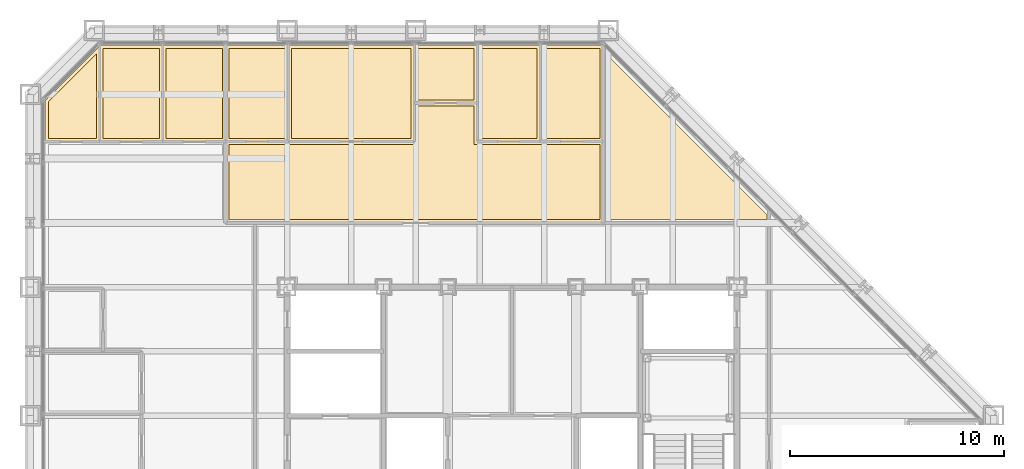
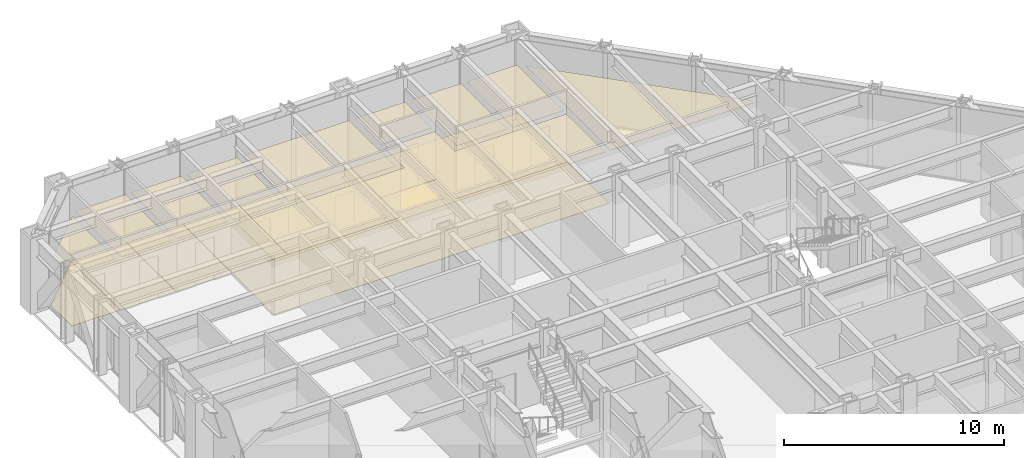
# One storey, part 16 of 16: 19 coverings.
"""IFC4 building model written with IfcOpenShell, lengths in metres."""

from ifc_helpers import new_model, si_unit, direction, frame, origin, place, context, subcontext, project, spatial, polyline, outline, extrude, material, layer, layer_set, type_object, element, save


model = new_model("IFC4")

# Units and contexts
model_context = context("Model", 3, precision=1e-05, world=origin(), true_north=direction((0.0, 1.0)))
body_context = subcontext(model_context, "Body", "Model", "MODEL_VIEW")
ifc_project = project(units=[si_unit("LENGTHUNIT", "METRE"), si_unit("AREAUNIT", "SQUARE_METRE"), si_unit("VOLUMEUNIT", "CUBIC_METRE"), si_unit("PLANEANGLEUNIT", "RADIAN"), si_unit("MASSUNIT", "GRAM", prefix="KILO")], contexts=[model_context])

# Site, building, storey
site_placement = place(None, origin())
site = spatial("IfcSite", under=ifc_project, at=site_placement, CompositionType="ELEMENT")
building_placement = place(site_placement, origin())
building = spatial("IfcBuilding", under=site, at=building_placement, Name="Chuquiago Exchange Tower", CompositionType="ELEMENT")
storey_placement = place(building_placement, frame((0.0, 0.0, 106.800048828125)))
storey = spatial("IfcBuildingStorey", under=building, at=storey_placement, Name="L22", CompositionType="ELEMENT", Elevation=106.800048828125)

# Coverings
ifc_material_1 = material(Name="Mineral fibre tile, 600 x 600, on pale metal grid", Category="mineral fibre")
ifc_layer_1 = layer(ifc_material_1, 0.02001953125)
ifc_layer_set_1 = layer_set([ifc_layer_1], Name="CL1 suspended tile ceiling 20")
covering_type_1 = type_object("IfcCoveringType", Name="CL1 suspended tile ceiling 20", PredefinedType="CEILING", material=ifc_layer_set_1)
covering_1_placement = place(storey_placement, frame((0.0, 0.0, 2.800048828125)))
element("IfcCovering", 1, at=covering_1_placement, inside=storey, type_object=covering_type_1, Name="Ceiling Meeting room", PredefinedType="CEILING", context=body_context, shape_type="SweptSolid", body=[
    extrude(outline(polyline([(3.098388671875, 43.896484375), (3.098388671875, 39.949951171875), (0.85009765625, 39.949951171875), (0.85009765625, 41.64794921875), (3.098388671875, 43.896484375)])), origin(), (0.0, 0.0, 1.0), 0.02001953125),
])
covering_2_placement = place(storey_placement, frame((0.0, 0.0, 2.800048828125)))
element("IfcCovering", 2, at=covering_2_placement, inside=storey, type_object=covering_type_1, Name="Ceiling Office", PredefinedType="CEILING", context=body_context, shape_type="SweptSolid", body=[
    extrude(outline(polyline([(6.036376953125, 44.14990234375), (6.036376953125, 39.949951171875), (3.3984375, 39.949951171875), (3.3984375, 44.14990234375), (6.036376953125, 44.14990234375)])), origin(), (0.0, 0.0, 1.0), 0.02001953125),
])
covering_3_placement = place(storey_placement, frame((0.0, 0.0, 2.800048828125)))
element("IfcCovering", 3, at=covering_3_placement, inside=storey, type_object=covering_type_1, Name="Ceiling Office", PredefinedType="CEILING", context=body_context, shape_type="SweptSolid", body=[
    extrude(outline(polyline([(8.974365234375, 39.949951171875), (6.33642578125, 39.949951171875), (6.33642578125, 44.14990234375), (8.974365234375, 44.14990234375), (8.974365234375, 39.949951171875)])), origin(), (0.0, 0.0, 1.0), 0.02001953125),
])
covering_4_placement = place(storey_placement, frame((0.0, 0.0, 2.800048828125)))
element("IfcCovering", 4, at=covering_4_placement, inside=storey, type_object=covering_type_1, Name="Ceiling Office", PredefinedType="CEILING", context=body_context, shape_type="SweptSolid", body=[
    extrude(outline(polyline([(11.912109375, 39.949951171875), (9.2744140625, 39.949951171875), (9.2744140625, 44.14990234375), (11.912109375, 44.14990234375), (11.912109375, 39.949951171875)])), origin(), (0.0, 0.0, 1.0), 0.02001953125),
])
covering_5_placement = place(storey_placement, frame((0.0, 0.0, 2.800048828125)))
element("IfcCovering", 5, at=covering_5_placement, inside=storey, type_object=covering_type_1, Name="Ceiling Meeting room", PredefinedType="CEILING", context=body_context, shape_type="SweptSolid", body=[
    extrude(outline(polyline([(17.787841796875, 39.949951171875), (12.212158203125, 39.949951171875), (12.212158203125, 44.14990234375), (17.787841796875, 44.14990234375), (17.787841796875, 39.949951171875)])), origin(), (0.0, 0.0, 1.0), 0.02001953125),
])
covering_6_placement = place(storey_placement, frame((0.0, 0.0, 2.800048828125)))
element("IfcCovering", 6, at=covering_6_placement, inside=storey, type_object=covering_type_1, Name="Ceiling Focus room", PredefinedType="CEILING", context=body_context, shape_type="SweptSolid", body=[
    extrude(outline(polyline([(20.7255859375, 41.75), (18.087890625, 41.75), (18.087890625, 44.14990234375), (20.7255859375, 44.14990234375), (20.7255859375, 41.75)])), origin(), (0.0, 0.0, 1.0), 0.02001953125),
])
covering_7_placement = place(storey_placement, frame((0.0, 0.0, 2.800048828125)))
element("IfcCovering", 7, at=covering_7_placement, inside=storey, type_object=covering_type_1, Name="Ceiling Office", PredefinedType="CEILING", context=body_context, shape_type="SweptSolid", body=[
    extrude(outline(polyline([(23.66357421875, 39.949951171875), (21.025634765625, 39.949951171875), (21.025634765625, 44.14990234375), (23.66357421875, 44.14990234375), (23.66357421875, 39.949951171875)])), origin(), (0.0, 0.0, 1.0), 0.02001953125),
])
covering_8_placement = place(storey_placement, frame((0.0, 0.0, 2.800048828125)))
element("IfcCovering", 8, at=covering_8_placement, inside=storey, type_object=covering_type_1, Name="Ceiling Office", PredefinedType="CEILING", context=body_context, shape_type="SweptSolid", body=[
    extrude(outline(polyline([(26.6015625, 39.949951171875), (23.963623046875, 39.949951171875), (23.963623046875, 44.14990234375), (26.6015625, 44.14990234375), (26.6015625, 39.949951171875)])), origin(), (0.0, 0.0, 1.0), 0.02001953125),
])
covering_9_placement = place(storey_placement, frame((0.0, 0.0, 2.800048828125)))
element("IfcCovering", 9, at=covering_9_placement, inside=storey, type_object=covering_type_1, Name="Ceiling Open office north suite", PredefinedType="CEILING", context=body_context, shape_type="SweptSolid", body=[
    extrude(outline(polyline([(18.087890625, 39.64990234375), (18.087890625, 41.449951171875), (20.7255859375, 41.449951171875), (20.7255859375, 39.64990234375), (26.60107421875, 39.64990234375), (26.60107421875, 36.150390625), (9.27490234375, 36.150390625), (9.27490234375, 39.64990234375), (18.087890625, 39.64990234375)])), origin(), (0.0, 0.0, 1.0), 0.02001953125),
])
covering_10_placement = place(storey_placement, frame((0.0, 0.0, 2.800048828125)))
element("IfcCovering", 10, at=covering_10_placement, inside=storey, type_object=covering_type_1, Name="Ceiling Open office east suite", PredefinedType="CEILING", context=body_context, shape_type="SweptSolid", body=[
    extrude(outline(polyline([(26.902099609375, 36.150390625), (26.902099609375, 43.89599609375), (34.4150390625, 36.383056640625), (34.4150390625, 36.150146484375), (26.902099609375, 36.150390625)])), origin(), (0.0, 0.0, 1.0), 0.02001953125),
])
ifc_material_2 = material(Name="Carpet tile, 500 x 500, on the floor slab", Category="textile")
ifc_layer_2 = layer(ifc_material_2, 0.010009765625)
ifc_layer_set_2 = layer_set([ifc_layer_2], Name="FL1 carpet tile 10")
covering_type_2 = type_object("IfcCoveringType", Name="FL1 carpet tile 10", PredefinedType="FLOORING", material=ifc_layer_set_2)
covering_11_placement = place(storey_placement, origin())
element("IfcCovering", 11, at=covering_11_placement, inside=storey, type_object=covering_type_2, Name="Floor finish Meeting room", PredefinedType="FLOORING", context=body_context, shape_type="SweptSolid", body=[
    extrude(outline(polyline([(0.699951171875, 41.710205078125), (3.24853515625, 44.258544921875), (3.24853515625, 39.800048828125), (0.699951171875, 39.800048828125), (0.699951171875, 41.710205078125)])), origin(), (0.0, 0.0, 1.0), 0.010009765625),
])
covering_12_placement = place(storey_placement, origin())
element("IfcCovering", 12, at=covering_12_placement, inside=storey, type_object=covering_type_2, Name="Floor finish Office", PredefinedType="FLOORING", context=body_context, shape_type="SweptSolid", body=[
    extrude(outline(polyline([(3.289794921875, 44.300048828125), (6.186279296875, 44.300048828125), (6.186279296875, 39.800048828125), (3.24853515625, 39.800048828125), (3.24853515625, 44.258544921875), (3.289794921875, 44.300048828125)])), origin(), (0.0, 0.0, 1.0), 0.010009765625),
])
covering_13_placement = place(storey_placement, origin())
element("IfcCovering", 13, at=covering_13_placement, inside=storey, type_object=covering_type_2, Name="Floor finish Office", PredefinedType="FLOORING", context=body_context, shape_type="SweptSolid", body=[
    extrude(outline(polyline([(9.124267578125, 44.300048828125), (9.124267578125, 39.800048828125), (6.186279296875, 39.800048828125), (6.186279296875, 44.300048828125), (9.124267578125, 44.300048828125)])), origin(), (0.0, 0.0, 1.0), 0.010009765625),
])
covering_14_placement = place(storey_placement, origin())
element("IfcCovering", 14, at=covering_14_placement, inside=storey, type_object=covering_type_2, Name="Floor finish Office", PredefinedType="FLOORING", context=body_context, shape_type="SweptSolid", body=[
    extrude(outline(polyline([(12.06201171875, 44.300048828125), (12.06201171875, 39.800048828125), (9.124267578125, 39.800048828125), (9.124267578125, 44.300048828125), (12.06201171875, 44.300048828125)])), origin(), (0.0, 0.0, 1.0), 0.010009765625),
])
covering_15_placement = place(storey_placement, origin())
element("IfcCovering", 15, at=covering_15_placement, inside=storey, type_object=covering_type_2, Name="Floor finish Meeting room", PredefinedType="FLOORING", context=body_context, shape_type="SweptSolid", body=[
    extrude(outline(polyline([(17.93798828125, 44.300048828125), (17.93798828125, 39.800048828125), (12.06201171875, 39.800048828125), (12.06201171875, 44.300048828125), (17.93798828125, 44.300048828125)])), origin(), (0.0, 0.0, 1.0), 0.010009765625),
])
covering_16_placement = place(storey_placement, origin())
element("IfcCovering", 16, at=covering_16_placement, inside=storey, type_object=covering_type_2, Name="Floor finish Focus room", PredefinedType="FLOORING", context=body_context, shape_type="SweptSolid", body=[
    extrude(outline(polyline([(20.875732421875, 44.300048828125), (20.875732421875, 41.60009765625), (17.93798828125, 41.60009765625), (17.93798828125, 44.300048828125), (20.875732421875, 44.300048828125)])), origin(), (0.0, 0.0, 1.0), 0.010009765625),
])
covering_17_placement = place(storey_placement, origin())
element("IfcCovering", 17, at=covering_17_placement, inside=storey, type_object=covering_type_2, Name="Floor finish Office", PredefinedType="FLOORING", context=body_context, shape_type="SweptSolid", body=[
    extrude(outline(polyline([(23.813720703125, 44.300048828125), (23.813720703125, 39.800048828125), (20.875732421875, 39.800048828125), (20.875732421875, 44.300048828125), (23.813720703125, 44.300048828125)])), origin(), (0.0, 0.0, 1.0), 0.010009765625),
])
covering_18_placement = place(storey_placement, origin())
element("IfcCovering", 18, at=covering_18_placement, inside=storey, type_object=covering_type_2, Name="Floor finish Office", PredefinedType="FLOORING", context=body_context, shape_type="SweptSolid", body=[
    extrude(outline(polyline([(26.710205078125, 44.300048828125), (26.75146484375, 44.258544921875), (26.75146484375, 39.800048828125), (23.813720703125, 39.800048828125), (23.813720703125, 44.300048828125), (26.710205078125, 44.300048828125)])), origin(), (0.0, 0.0, 1.0), 0.010009765625),
])
covering_19_placement = place(storey_placement, origin())
element("IfcCovering", 19, at=covering_19_placement, inside=storey, type_object=covering_type_2, Name="Floor finish Open office north suite", PredefinedType="FLOORING", context=body_context, shape_type="SweptSolid", body=[
    extrude(outline(polyline([(9.124755859375, 39.800048828125), (17.93798828125, 39.800048828125), (17.93798828125, 41.60009765625), (20.875732421875, 41.60009765625), (20.875732421875, 39.800048828125), (26.7509765625, 39.800048828125), (26.7509765625, 36.00048828125), (9.124755859375, 36.00048828125), (9.124755859375, 39.800048828125)])), origin(), (0.0, 0.0, 1.0), 0.010009765625),
])

save(model, "model.ifc")
